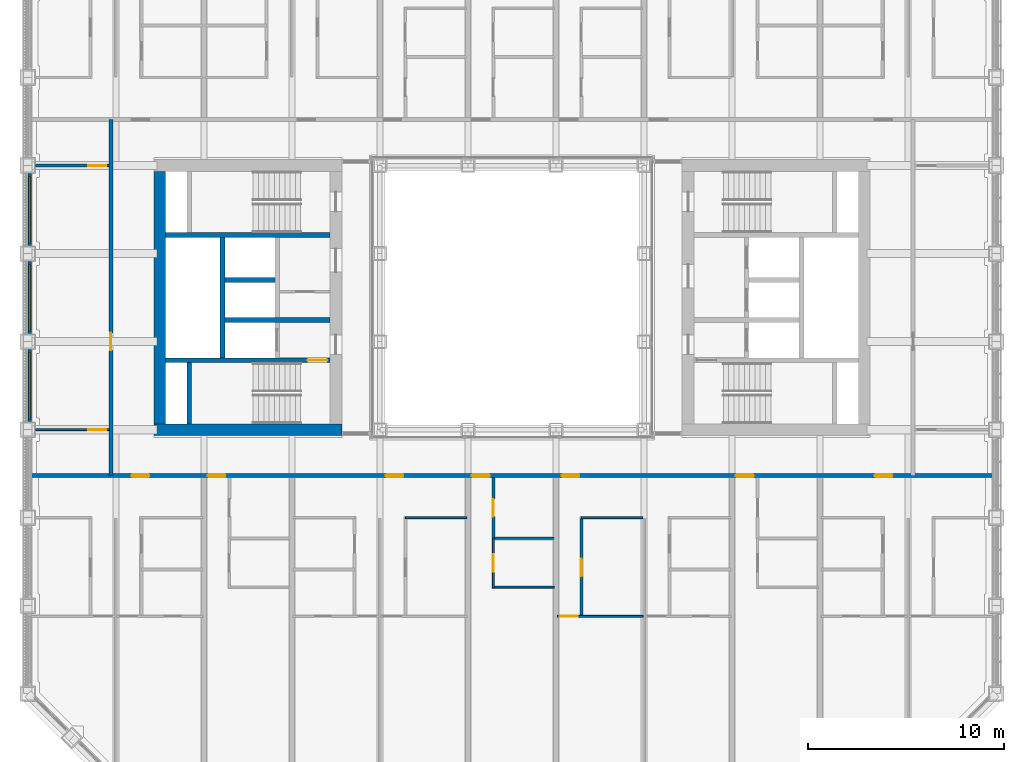
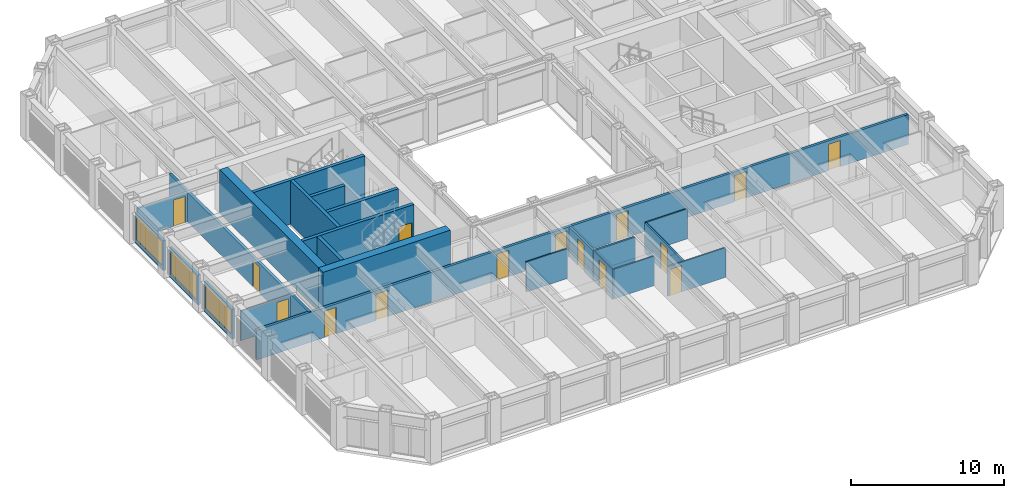
# One storey, part 10 of 21: 23 walls, 15 doors, 3 windows, 18 openings.
"""IFC4 building model written with IfcOpenShell, lengths in metres."""

from ifc_helpers import new_model, si_unit, direction, frame, frame_2d, origin, place, context, subcontext, project, spatial, rectangle, extrude, material, layer, layer_set, type_object, element, fill, save


model = new_model("IFC4")

# Units and contexts
model_context = context("Model", 3, precision=1e-05, world=origin(), true_north=direction((0.0, 1.0)))
body_context = subcontext(model_context, "Body", "Model", "MODEL_VIEW")
ifc_project = project(units=[si_unit("LENGTHUNIT", "METRE"), si_unit("AREAUNIT", "SQUARE_METRE"), si_unit("VOLUMEUNIT", "CUBIC_METRE"), si_unit("PLANEANGLEUNIT", "RADIAN"), si_unit("MASSUNIT", "GRAM", prefix="KILO")], contexts=[model_context])

# Site, building, storey
site_placement = place(None, origin())
site = spatial("IfcSite", under=ifc_project, at=site_placement, CompositionType="ELEMENT")
building_placement = place(site_placement, origin())
building = spatial("IfcBuilding", under=site, at=building_placement, Name="Msasa Ring Tower", CompositionType="ELEMENT")
storey_placement = place(building_placement, frame((0.0, 0.0, 44.0)))
storey = spatial("IfcBuildingStorey", under=building, at=storey_placement, Name="L10", CompositionType="ELEMENT", Elevation=44.0)

# Walls
ifc_material_1 = material(Name="Concrete C60/75", Category="concrete")
ifc_layer_1 = layer(ifc_material_1, 0.60009765625)
ifc_layer_set_1 = layer_set([ifc_layer_1], Name="CW1 CORE WALL 600")
wall_type_1 = type_object("IfcWallType", Name="CW1 CORE WALL 600", PredefinedType="SHEAR", material=ifc_layer_set_1)
wall_1_placement = place(storey_placement, frame((-8.699951171875, -6.75, 0.0), z_axis=(0.0, 0.0, 1.0), x_axis=(-1.0, 0.0, 0.0)))
element("IfcWall", 1, at=wall_1_placement, inside=storey, type_object=wall_type_1, Name="W core wall S L10", PredefinedType="SHEAR", context=body_context, shape_type="SweptSolid", body=[
    extrude(rectangle(XDim=9.60009765625, YDim=0.60009765625, at=frame_2d((4.800048828125, 0.0))), origin(), (0.0, 0.0, 1.0), 3.5),
])
wall_2_placement = place(storey_placement, frame((-18.0, -6.449951171875, 0.0), z_axis=(0.0, 0.0, 1.0), x_axis=(0.0, 1.0, 0.0)))
element("IfcWall", 2, at=wall_2_placement, inside=storey, type_object=wall_type_1, Name="W core wall E L10", PredefinedType="SHEAR", context=body_context, shape_type="SweptSolid", body=[
    extrude(rectangle(XDim=12.89990234375, YDim=0.60009765625, at=frame_2d((6.449951171875, 0.0))), origin(), (0.0, 0.0, 1.0), 3.5),
])

# Wall, opening, door
ifc_material_2 = material(Name="Concrete C60/75", Category="concrete")
ifc_layer_2 = layer(ifc_material_2, 0.25)
ifc_layer_set_2 = layer_set([ifc_layer_2], Name="CW4 CORE INNER WALL 250")
wall_type_2 = type_object("IfcWallType", Name="CW4 CORE INNER WALL 250", PredefinedType="SHEAR", material=ifc_layer_set_2)
wall_3_placement = place(storey_placement, frame((-9.300048828125, -3.199951171875, 0.0), z_axis=(0.0, 0.0, 1.0), x_axis=(-1.0, 0.0, 0.0)))
wall_3 = element("IfcWall", 3, at=wall_3_placement, inside=storey, type_object=wall_type_2, Name="W core wall STAIRA L10", PredefinedType="SHEAR", context=body_context, shape_type="SweptSolid", body=[
    extrude(rectangle(XDim=8.39990234375, YDim=0.25, at=frame_2d((4.199951171875, 0.0))), origin(), (0.0, 0.0, 1.0), 3.5),
])
opening_1_placement = place(wall_3_placement, frame((0.14990234375, 0.0, 0.0)))
opening_1 = element("IfcOpeningElement", 4, at=opening_1_placement, cuts=wall_3, Name="Opening RB-047", PredefinedType="OPENING", context=body_context, shape_type="SweptSolid", body=[
    extrude(rectangle(XDim=1.0, YDim=2.10009765625, at=frame_2d((0.5, 1.050048828125))), frame((0.0, 0.135009765625, 0.0), z_axis=(0.0, -1.0, 0.0), x_axis=(1.0, 0.0, 0.0)), (0.0, 0.0, 1.0), 0.27001953125),
])
ifc_material_3 = material(Name="Timber door leaf in a steel frame", Category="steel")
door_type_1 = type_object("IfcDoorType", Name="D6 STAIR DOOR 1000x2100", OperationType="SINGLE_SWING_LEFT", PredefinedType="DOOR", material=ifc_material_3)
door_1_placement = place(opening_1_placement, origin())
door_1 = element("IfcDoor", 5, at=door_1_placement, inside=storey, type_object=door_type_1, Name="Door L10-WSTA", OperationType="SINGLE_SWING_LEFT", OverallHeight=2.10009765625, OverallWidth=1.0, PredefinedType="DOOR", context=body_context, shape_type="SweptSolid", body=[
    extrude(rectangle(XDim=1.0, YDim=2.10009765625, at=frame_2d((0.5, 1.050048828125))), frame((0.0, 0.02490234375, 0.0), z_axis=(0.0, -1.0, 0.0), x_axis=(1.0, 0.0, 0.0)), (0.0, 0.0, 1.0), 0.050048828125),
])
fill(opening_1, door_1)

# Walls
wall_4_placement = place(storey_placement, frame((-9.300048828125, 3.199951171875, 0.0), z_axis=(0.0, 0.0, 1.0), x_axis=(-1.0, 0.0, 0.0)))
element("IfcWall", 6, at=wall_4_placement, inside=storey, type_object=wall_type_2, Name="W core wall STAIRB L10", PredefinedType="SHEAR", context=body_context, shape_type="SweptSolid", body=[
    extrude(rectangle(XDim=8.39990234375, YDim=0.25, at=frame_2d((4.199951171875, 0.0))), origin(), (0.0, 0.0, 1.0), 3.5),
])
wall_5_placement = place(storey_placement, frame((-16.5, -6.449951171875, 0.0), z_axis=(0.0, 0.0, 1.0), x_axis=(0.0, 1.0, 0.0)))
element("IfcWall", 7, at=wall_5_placement, inside=storey, type_object=wall_type_2, Name="W core wall RISERA L10", PredefinedType="SHEAR", context=body_context, shape_type="SweptSolid", body=[
    extrude(rectangle(XDim=3.125, YDim=0.25, at=frame_2d((1.5625, 0.0))), origin(), (0.0, 0.0, 1.0), 3.5),
])
wall_6_placement = place(storey_placement, frame((-9.300048828125, -1.14990234375, 0.0), z_axis=(0.0, 0.0, 1.0), x_axis=(-1.0, 0.0, 0.0)))
element("IfcWall", 8, at=wall_6_placement, inside=storey, type_object=wall_type_2, Name="W core wall FFL L10", PredefinedType="SHEAR", context=body_context, shape_type="SweptSolid", body=[
    extrude(rectangle(XDim=5.375, YDim=0.25, at=frame_2d((2.6875, 0.0))), origin(), (0.0, 0.0, 1.0), 3.5),
])
wall_7_placement = place(storey_placement, frame((-14.800048828125, -3.074951171875, 0.0), z_axis=(0.0, 0.0, 1.0), x_axis=(0.0, 1.0, 0.0)))
element("IfcWall", 9, at=wall_7_placement, inside=storey, type_object=wall_type_2, Name="W core wall SHAFT L10", PredefinedType="SHEAR", context=body_context, shape_type="SweptSolid", body=[
    extrude(rectangle(XDim=6.14990234375, YDim=0.25, at=frame_2d((3.074951171875, 0.0))), origin(), (0.0, 0.0, 1.0), 3.5),
])
wall_8_placement = place(storey_placement, frame((-12.125, 0.89990234375, 0.0), z_axis=(0.0, 0.0, 1.0), x_axis=(-1.0, 0.0, 0.0)))
element("IfcWall", 10, at=wall_8_placement, inside=storey, type_object=wall_type_2, Name="W core wall LIFT1 L10", PredefinedType="SHEAR", context=body_context, shape_type="SweptSolid", body=[
    extrude(rectangle(XDim=2.550048828125, YDim=0.25, at=frame_2d((1.27490234375, 0.0))), origin(), (0.0, 0.0, 1.0), 3.5),
])

# Wall, opening, window
ifc_material_4 = material(Name="Terracotta rainscreen on blockwork", Category="masonry")
ifc_layer_3 = layer(ifc_material_4, 0.199951171875)
ifc_layer_set_3 = layer_set([ifc_layer_3], Name="FW1 TERRACOTTA-LINED INFILL BAY WALL 200")
wall_type_3 = type_object("IfcWallType", Name="FW1 TERRACOTTA-LINED INFILL BAY WALL 200", PredefinedType="SOLIDWALL", material=ifc_layer_set_3)
wall_9_placement = place(storey_placement, frame((-24.64990234375, -6.344970703125, 0.0), z_axis=(0.0, 0.0, 1.0), x_axis=(0.0, 1.0, 0.0)))
wall_9 = element("IfcWall", 11, at=wall_9_placement, inside=storey, type_object=wall_type_3, Name="Infill bay wall W L10 36", PredefinedType="SOLIDWALL", context=body_context, shape_type="SweptSolid", body=[
    extrude(rectangle(XDim=3.68994140625, YDim=0.199951171875, at=frame_2d((1.844970703125, 0.0))), origin(), (0.0, 0.0, 1.0), 2.37890625),
])
opening_2_placement = place(wall_9_placement, frame((0.14501953125, 0.0, 0.300048828125)))
opening_2 = element("IfcOpeningElement", 12, at=opening_2_placement, cuts=wall_9, Name="Opening WN1", PredefinedType="OPENING", context=body_context, shape_type="SweptSolid", body=[
    extrude(rectangle(XDim=3.39990234375, YDim=1.928955078125, at=frame_2d((1.699951171875, 0.96435546875))), frame((0.0, 0.10986328125, 0.0), z_axis=(0.0, -1.0, 0.0), x_axis=(1.0, 0.0, 0.0)), (0.0, 0.0, 1.0), 0.219970703125),
])
ifc_material_5 = material(Name="Aluminium frame with clear glass", Category="aluminium")
window_type = type_object("IfcWindowType", Name="WN1 RESIDENCE WINDOW 3400x1929", PartitioningType="SINGLE_PANEL", PredefinedType="WINDOW", material=ifc_material_5)
window_1_placement = place(opening_2_placement, origin())
window_1 = element("IfcWindow", 13, at=window_1_placement, inside=storey, type_object=window_type, Name="Window W L10 36", OverallHeight=1.928955078125, OverallWidth=3.39990234375, PartitioningType="SINGLE_PANEL", PredefinedType="WINDOW", context=body_context, shape_type="SweptSolid", body=[
    extrude(rectangle(XDim=3.39990234375, YDim=1.928955078125, at=frame_2d((1.699951171875, 0.96435546875))), frame((0.0, 0.030029296875, 0.0), z_axis=(0.0, -1.0, 0.0), x_axis=(1.0, 0.0, 0.0)), (0.0, 0.0, 1.0), 0.06005859375),
])
fill(opening_2, window_1)

wall_10_placement = place(storey_placement, frame((-24.64990234375, -1.844970703125, 0.0), z_axis=(0.0, 0.0, 1.0), x_axis=(0.0, 1.0, 0.0)))
wall_10 = element("IfcWall", 14, at=wall_10_placement, inside=storey, type_object=wall_type_3, Name="Infill bay wall W L10 37", PredefinedType="SOLIDWALL", context=body_context, shape_type="SweptSolid", body=[
    extrude(rectangle(XDim=3.68994140625, YDim=0.199951171875, at=frame_2d((1.844970703125, 0.0))), origin(), (0.0, 0.0, 1.0), 2.37890625),
])
opening_3_placement = place(wall_10_placement, frame((0.14501953125, 0.0, 0.300048828125)))
opening_3 = element("IfcOpeningElement", 15, at=opening_3_placement, cuts=wall_10, Name="Opening WN1", PredefinedType="OPENING", context=body_context, shape_type="SweptSolid", body=[
    extrude(rectangle(XDim=3.39990234375, YDim=1.928955078125, at=frame_2d((1.699951171875, 0.96435546875))), frame((0.0, 0.10986328125, 0.0), z_axis=(0.0, -1.0, 0.0), x_axis=(1.0, 0.0, 0.0)), (0.0, 0.0, 1.0), 0.219970703125),
])
window_2_placement = place(opening_3_placement, origin())
window_2 = element("IfcWindow", 16, at=window_2_placement, inside=storey, type_object=window_type, Name="Window W L10 37", OverallHeight=1.928955078125, OverallWidth=3.39990234375, PartitioningType="SINGLE_PANEL", PredefinedType="WINDOW", context=body_context, shape_type="SweptSolid", body=[
    extrude(rectangle(XDim=3.39990234375, YDim=1.928955078125, at=frame_2d((1.699951171875, 0.96435546875))), frame((0.0, 0.030029296875, 0.0), z_axis=(0.0, -1.0, 0.0), x_axis=(1.0, 0.0, 0.0)), (0.0, 0.0, 1.0), 0.06005859375),
])
fill(opening_3, window_2)

wall_11_placement = place(storey_placement, frame((-24.64990234375, 2.655029296875, 0.0), z_axis=(0.0, 0.0, 1.0), x_axis=(0.0, 1.0, 0.0)))
wall_11 = element("IfcWall", 17, at=wall_11_placement, inside=storey, type_object=wall_type_3, Name="Infill bay wall W L10 38", PredefinedType="SOLIDWALL", context=body_context, shape_type="SweptSolid", body=[
    extrude(rectangle(XDim=3.68994140625, YDim=0.199951171875, at=frame_2d((1.844970703125, 0.0))), origin(), (0.0, 0.0, 1.0), 2.37890625),
])
opening_4_placement = place(wall_11_placement, frame((0.14501953125, 0.0, 0.300048828125)))
opening_4 = element("IfcOpeningElement", 18, at=opening_4_placement, cuts=wall_11, Name="Opening WN1", PredefinedType="OPENING", context=body_context, shape_type="SweptSolid", body=[
    extrude(rectangle(XDim=3.39990234375, YDim=1.928955078125, at=frame_2d((1.699951171875, 0.96435546875))), frame((0.0, 0.10986328125, 0.0), z_axis=(0.0, -1.0, 0.0), x_axis=(1.0, 0.0, 0.0)), (0.0, 0.0, 1.0), 0.219970703125),
])
window_3_placement = place(opening_4_placement, origin())
window_3 = element("IfcWindow", 19, at=window_3_placement, inside=storey, type_object=window_type, Name="Window W L10 38", OverallHeight=1.928955078125, OverallWidth=3.39990234375, PartitioningType="SINGLE_PANEL", PredefinedType="WINDOW", context=body_context, shape_type="SweptSolid", body=[
    extrude(rectangle(XDim=3.39990234375, YDim=1.928955078125, at=frame_2d((1.699951171875, 0.96435546875))), frame((0.0, 0.030029296875, 0.0), z_axis=(0.0, -1.0, 0.0), x_axis=(1.0, 0.0, 0.0)), (0.0, 0.0, 1.0), 0.06005859375),
])
fill(opening_4, window_3)

# Wall, openings, doors
ifc_material_6 = material(Name="Concrete blockwork", Category="masonry")
ifc_layer_4 = layer(ifc_material_6, 0.199951171875)
ifc_layer_set_4 = layer_set([ifc_layer_4], Name="PT1 CORRIDOR WALL 200")
wall_type_4 = type_object("IfcWallType", Name="PT1 CORRIDOR WALL 200", PredefinedType="PARTITIONING", material=ifc_layer_set_4)
wall_12_placement = place(storey_placement, frame((-24.550048828125, -9.10009765625, 0.0), z_axis=(0.0, 0.0, 1.0), x_axis=(1.0, 0.0, 0.0)))
wall_12 = element("IfcWall", 20, at=wall_12_placement, inside=storey, type_object=wall_type_4, Name="Corridor wall L10-CORRS0", PredefinedType="PARTITIONING", context=body_context, shape_type="SweptSolid", body=[
    extrude(rectangle(XDim=49.10009765625, YDim=0.199951171875, at=frame_2d((24.550048828125, 0.0))), origin(), (0.0, 0.0, 1.0), 2.373291015625),
])
opening_5_placement = place(wall_12_placement, frame((5.10009765625, 0.0, 0.0)))
opening_5 = element("IfcOpeningElement", 21, at=opening_5_placement, cuts=wall_12, Name="Opening RB-053", PredefinedType="OPENING", context=body_context, shape_type="SweptSolid", body=[
    extrude(rectangle(XDim=0.89990234375, YDim=2.10009765625, at=frame_2d((0.449951171875, 1.050048828125))), frame((0.0, 0.10986328125, 0.0), z_axis=(0.0, -1.0, 0.0), x_axis=(1.0, 0.0, 0.0)), (0.0, 0.0, 1.0), 0.219970703125),
])
opening_6_placement = place(wall_12_placement, frame((9.0, 0.0, 0.0)))
opening_6 = element("IfcOpeningElement", 22, at=opening_6_placement, cuts=wall_12, Name="Opening RB-054", PredefinedType="OPENING", context=body_context, shape_type="SweptSolid", body=[
    extrude(rectangle(XDim=0.89990234375, YDim=2.10009765625, at=frame_2d((0.449951171875, 1.050048828125))), frame((0.0, 0.10986328125, 0.0), z_axis=(0.0, -1.0, 0.0), x_axis=(1.0, 0.0, 0.0)), (0.0, 0.0, 1.0), 0.219970703125),
])
opening_7_placement = place(wall_12_placement, frame((18.10009765625, 0.0, 0.0)))
opening_7 = element("IfcOpeningElement", 23, at=opening_7_placement, cuts=wall_12, Name="Opening RB-055", PredefinedType="OPENING", context=body_context, shape_type="SweptSolid", body=[
    extrude(rectangle(XDim=0.89990234375, YDim=2.10009765625, at=frame_2d((0.449951171875, 1.050048828125))), frame((0.0, 0.10986328125, 0.0), z_axis=(0.0, -1.0, 0.0), x_axis=(1.0, 0.0, 0.0)), (0.0, 0.0, 1.0), 0.219970703125),
])
opening_8_placement = place(wall_12_placement, frame((22.5, 0.0, 0.0)))
opening_8 = element("IfcOpeningElement", 24, at=opening_8_placement, cuts=wall_12, Name="Opening RB-056", PredefinedType="OPENING", context=body_context, shape_type="SweptSolid", body=[
    extrude(rectangle(XDim=0.89990234375, YDim=2.10009765625, at=frame_2d((0.449951171875, 1.050048828125))), frame((0.0, 0.10986328125, 0.0), z_axis=(0.0, -1.0, 0.0), x_axis=(1.0, 0.0, 0.0)), (0.0, 0.0, 1.0), 0.219970703125),
])
opening_9_placement = place(wall_12_placement, frame((27.10009765625, 0.0, 0.0)))
opening_9 = element("IfcOpeningElement", 25, at=opening_9_placement, cuts=wall_12, Name="Opening RB-057", PredefinedType="OPENING", context=body_context, shape_type="SweptSolid", body=[
    extrude(rectangle(XDim=0.89990234375, YDim=2.10009765625, at=frame_2d((0.449951171875, 1.050048828125))), frame((0.0, 0.10986328125, 0.0), z_axis=(0.0, -1.0, 0.0), x_axis=(1.0, 0.0, 0.0)), (0.0, 0.0, 1.0), 0.219970703125),
])
opening_10_placement = place(wall_12_placement, frame((36.0, 0.0, 0.0)))
opening_10 = element("IfcOpeningElement", 26, at=opening_10_placement, cuts=wall_12, Name="Opening RB-058", PredefinedType="OPENING", context=body_context, shape_type="SweptSolid", body=[
    extrude(rectangle(XDim=0.89990234375, YDim=2.10009765625, at=frame_2d((0.449951171875, 1.050048828125))), frame((0.0, 0.10986328125, 0.0), z_axis=(0.0, -1.0, 0.0), x_axis=(1.0, 0.0, 0.0)), (0.0, 0.0, 1.0), 0.219970703125),
])
opening_11_placement = place(wall_12_placement, frame((43.10009765625, 0.0, 0.0)))
opening_11 = element("IfcOpeningElement", 27, at=opening_11_placement, cuts=wall_12, Name="Opening RB-059", PredefinedType="OPENING", context=body_context, shape_type="SweptSolid", body=[
    extrude(rectangle(XDim=0.89990234375, YDim=2.10009765625, at=frame_2d((0.449951171875, 1.050048828125))), frame((0.0, 0.10986328125, 0.0), z_axis=(0.0, -1.0, 0.0), x_axis=(1.0, 0.0, 0.0)), (0.0, 0.0, 1.0), 0.219970703125),
])
ifc_material_7 = material(Name="Timber door leaf in a steel frame", Category="steel")
door_type_2 = type_object("IfcDoorType", Name="D2 ENTRANCE DOOR 900x2100", OperationType="SINGLE_SWING_LEFT", PredefinedType="DOOR", material=ifc_material_7)
door_2_placement = place(opening_5_placement, origin())
door_2 = element("IfcDoor", 28, at=door_2_placement, inside=storey, type_object=door_type_2, Name="Door L10-US00", OperationType="SINGLE_SWING_LEFT", OverallHeight=2.10009765625, OverallWidth=0.89990234375, PredefinedType="DOOR", context=body_context, shape_type="SweptSolid", body=[
    extrude(rectangle(XDim=0.89990234375, YDim=2.10009765625, at=frame_2d((0.449951171875, 1.050048828125))), frame((0.0, 0.02490234375, 0.0), z_axis=(0.0, -1.0, 0.0), x_axis=(1.0, 0.0, 0.0)), (0.0, 0.0, 1.0), 0.050048828125),
])
fill(opening_5, door_2)
door_3_placement = place(opening_6_placement, origin())
door_3 = element("IfcDoor", 29, at=door_3_placement, inside=storey, type_object=door_type_2, Name="Door L10-US01", OperationType="SINGLE_SWING_LEFT", OverallHeight=2.10009765625, OverallWidth=0.89990234375, PredefinedType="DOOR", context=body_context, shape_type="SweptSolid", body=[
    extrude(rectangle(XDim=0.89990234375, YDim=2.10009765625, at=frame_2d((0.449951171875, 1.050048828125))), frame((0.0, 0.02490234375, 0.0), z_axis=(0.0, -1.0, 0.0), x_axis=(1.0, 0.0, 0.0)), (0.0, 0.0, 1.0), 0.050048828125),
])
fill(opening_6, door_3)
door_4_placement = place(opening_7_placement, origin())
door_4 = element("IfcDoor", 30, at=door_4_placement, inside=storey, type_object=door_type_2, Name="Door L10-US02", OperationType="SINGLE_SWING_LEFT", OverallHeight=2.10009765625, OverallWidth=0.89990234375, PredefinedType="DOOR", context=body_context, shape_type="SweptSolid", body=[
    extrude(rectangle(XDim=0.89990234375, YDim=2.10009765625, at=frame_2d((0.449951171875, 1.050048828125))), frame((0.0, 0.02490234375, 0.0), z_axis=(0.0, -1.0, 0.0), x_axis=(1.0, 0.0, 0.0)), (0.0, 0.0, 1.0), 0.050048828125),
])
fill(opening_7, door_4)
door_5_placement = place(opening_8_placement, origin())
door_5 = element("IfcDoor", 31, at=door_5_placement, inside=storey, type_object=door_type_2, Name="Door L10-US03", OperationType="SINGLE_SWING_LEFT", OverallHeight=2.10009765625, OverallWidth=0.89990234375, PredefinedType="DOOR", context=body_context, shape_type="SweptSolid", body=[
    extrude(rectangle(XDim=0.89990234375, YDim=2.10009765625, at=frame_2d((0.449951171875, 1.050048828125))), frame((0.0, 0.02490234375, 0.0), z_axis=(0.0, -1.0, 0.0), x_axis=(1.0, 0.0, 0.0)), (0.0, 0.0, 1.0), 0.050048828125),
])
fill(opening_8, door_5)
door_6_placement = place(opening_9_placement, origin())
door_6 = element("IfcDoor", 32, at=door_6_placement, inside=storey, type_object=door_type_2, Name="Door L10-US04", OperationType="SINGLE_SWING_RIGHT", OverallHeight=2.10009765625, OverallWidth=0.89990234375, PredefinedType="DOOR", context=body_context, shape_type="SweptSolid", body=[
    extrude(rectangle(XDim=0.89990234375, YDim=2.10009765625, at=frame_2d((0.449951171875, 1.050048828125))), frame((0.0, 0.02490234375, 0.0), z_axis=(0.0, -1.0, 0.0), x_axis=(1.0, 0.0, 0.0)), (0.0, 0.0, 1.0), 0.050048828125),
])
fill(opening_9, door_6)
door_7_placement = place(opening_10_placement, origin())
door_7 = element("IfcDoor", 33, at=door_7_placement, inside=storey, type_object=door_type_2, Name="Door L10-US05", OperationType="SINGLE_SWING_RIGHT", OverallHeight=2.10009765625, OverallWidth=0.89990234375, PredefinedType="DOOR", context=body_context, shape_type="SweptSolid", body=[
    extrude(rectangle(XDim=0.89990234375, YDim=2.10009765625, at=frame_2d((0.449951171875, 1.050048828125))), frame((0.0, 0.02490234375, 0.0), z_axis=(0.0, -1.0, 0.0), x_axis=(1.0, 0.0, 0.0)), (0.0, 0.0, 1.0), 0.050048828125),
])
fill(opening_10, door_7)
door_8_placement = place(opening_11_placement, origin())
door_8 = element("IfcDoor", 34, at=door_8_placement, inside=storey, type_object=door_type_2, Name="Door L10-US06", OperationType="SINGLE_SWING_RIGHT", OverallHeight=2.10009765625, OverallWidth=0.89990234375, PredefinedType="DOOR", context=body_context, shape_type="SweptSolid", body=[
    extrude(rectangle(XDim=0.89990234375, YDim=2.10009765625, at=frame_2d((0.449951171875, 1.050048828125))), frame((0.0, 0.02490234375, 0.0), z_axis=(0.0, -1.0, 0.0), x_axis=(1.0, 0.0, 0.0)), (0.0, 0.0, 1.0), 0.050048828125),
])
fill(opening_11, door_8)

# Wall, opening, door
wall_13_placement = place(storey_placement, frame((-20.5, -9.10009765625, 0.0), z_axis=(0.0, 0.0, 1.0), x_axis=(0.0, 1.0, 0.0)))
wall_13 = element("IfcWall", 35, at=wall_13_placement, inside=storey, type_object=wall_type_4, Name="Corridor wall L10-STRW", PredefinedType="PARTITIONING", context=body_context, shape_type="SweptSolid", body=[
    extrude(rectangle(XDim=18.2001953125, YDim=0.199951171875, at=frame_2d((9.10009765625, 0.0))), origin(), (0.0, 0.0, 1.0), 2.373291015625),
])
opening_12_placement = place(wall_13_placement, frame((6.39990234375, 0.0, 0.0)))
opening_12 = element("IfcOpeningElement", 36, at=opening_12_placement, cuts=wall_13, Name="Opening RB-043", PredefinedType="OPENING", context=body_context, shape_type="SweptSolid", body=[
    extrude(rectangle(XDim=0.89990234375, YDim=2.10009765625, at=frame_2d((0.449951171875, 1.050048828125))), frame((0.0, 0.10986328125, 0.0), z_axis=(0.0, -1.0, 0.0), x_axis=(1.0, 0.0, 0.0)), (0.0, 0.0, 1.0), 0.219970703125),
])
door_9_placement = place(opening_12_placement, origin())
door_9 = element("IfcDoor", 37, at=door_9_placement, inside=storey, type_object=door_type_2, Name="Door L10-STW", OperationType="SINGLE_SWING_LEFT", OverallHeight=2.10009765625, OverallWidth=0.89990234375, PredefinedType="DOOR", context=body_context, shape_type="SweptSolid", body=[
    extrude(rectangle(XDim=0.89990234375, YDim=2.10009765625, at=frame_2d((0.449951171875, 1.050048828125))), frame((0.0, 0.02490234375, 0.0), z_axis=(0.0, -1.0, 0.0), x_axis=(1.0, 0.0, 0.0)), (0.0, 0.0, 1.0), 0.050048828125),
])
fill(opening_12, door_9)

# Walls
ifc_material_8 = material(Name="Gypsum board on steel studs", Category="steel")
ifc_layer_5 = layer(ifc_material_8, 0.10009765625)
ifc_layer_set_5 = layer_set([ifc_layer_5], Name="PT2 STUD PARTITION 100")
wall_type_5 = type_object("IfcWallType", Name="PT2 STUD PARTITION 100", PredefinedType="PARTITIONING", material=ifc_layer_set_5)
wall_14_placement = place(storey_placement, frame((-5.449951171875, -11.25, 0.0), z_axis=(0.0, 0.0, 1.0), x_axis=(1.0, 0.0, 0.0)))
element("IfcWall", 38, at=wall_14_placement, inside=storey, type_object=wall_type_5, Name="Partition L10-US02HY0", PredefinedType="PARTITIONING", context=body_context, shape_type="SweptSolid", body=[
    extrude(rectangle(XDim=3.139892578125, YDim=0.10009765625, at=frame_2d((1.56982421875, 0.0))), origin(), (0.0, 0.0, 1.0), 2.373291015625),
])
wall_15_placement = place(storey_placement, frame((-0.89990234375, -14.800048828125, 0.0), z_axis=(0.0, 0.0, 1.0), x_axis=(1.0, 0.0, 0.0)))
element("IfcWall", 39, at=wall_15_placement, inside=storey, type_object=wall_type_5, Name="Partition L10-US03KY", PredefinedType="PARTITIONING", context=body_context, shape_type="SweptSolid", body=[
    extrude(rectangle(XDim=3.0498046875, YDim=0.10009765625, at=frame_2d((1.52490234375, 0.0))), origin(), (0.0, 0.0, 1.0), 2.373291015625),
])

# Wall, opening, door
wall_16_placement = place(storey_placement, frame((-0.949951171875, -14.85009765625, 0.0), z_axis=(0.0, 0.0, 1.0), x_axis=(0.0, 1.0, 0.0)))
wall_16 = element("IfcWall", 40, at=wall_16_placement, inside=storey, type_object=wall_type_5, Name="Partition L10-US03KX", PredefinedType="PARTITIONING", context=body_context, shape_type="SweptSolid", body=[
    extrude(rectangle(XDim=2.550048828125, YDim=0.10009765625, at=frame_2d((1.27490234375, 0.0))), origin(), (0.0, 0.0, 1.0), 2.373291015625),
])
opening_13_placement = place(wall_16_placement, frame((0.840087890625, 0.0, 0.0)))
opening_13 = element("IfcOpeningElement", 41, at=opening_13_placement, cuts=wall_16, Name="Opening RB-068", PredefinedType="OPENING", context=body_context, shape_type="SweptSolid", body=[
    extrude(rectangle(XDim=0.89990234375, YDim=2.10009765625, at=frame_2d((0.449951171875, 1.050048828125))), frame((0.0, 0.06005859375, 0.0), z_axis=(0.0, -1.0, 0.0), x_axis=(1.0, 0.0, 0.0)), (0.0, 0.0, 1.0), 0.1201171875),
])
ifc_material_9 = material(Name="Timber door leaf in a steel frame", Category="steel")
door_type_3 = type_object("IfcDoorType", Name="D22 INTERNAL HALL DOOR 900x2100", OperationType="SINGLE_SWING_LEFT", PredefinedType="DOOR", material=ifc_material_9)
door_10_placement = place(opening_13_placement, origin())
door_10 = element("IfcDoor", 42, at=door_10_placement, inside=storey, type_object=door_type_3, Name="Door L10-US03K", OperationType="SINGLE_SWING_LEFT", OverallHeight=2.10009765625, OverallWidth=0.89990234375, PredefinedType="DOOR", context=body_context, shape_type="SweptSolid", body=[
    extrude(rectangle(XDim=0.89990234375, YDim=2.10009765625, at=frame_2d((0.449951171875, 1.050048828125))), frame((0.0, 0.02490234375, 0.0), z_axis=(0.0, -1.0, 0.0), x_axis=(1.0, 0.0, 0.0)), (0.0, 0.0, 1.0), 0.050048828125),
])
fill(opening_13, door_10)

# Wall
wall_17_placement = place(storey_placement, frame((3.550048828125, -11.25, 0.0), z_axis=(0.0, 0.0, 1.0), x_axis=(1.0, 0.0, 0.0)))
element("IfcWall", 43, at=wall_17_placement, inside=storey, type_object=wall_type_5, Name="Partition L10-US04HY0", PredefinedType="PARTITIONING", context=body_context, shape_type="SweptSolid", body=[
    extrude(rectangle(XDim=3.139892578125, YDim=0.10009765625, at=frame_2d((1.56982421875, 0.0))), origin(), (0.0, 0.0, 1.0), 2.373291015625),
])

# Wall, opening, door
wall_18_placement = place(storey_placement, frame((2.31005859375, -16.300048828125, 0.0), z_axis=(0.0, 0.0, 1.0), x_axis=(1.0, 0.0, 0.0)))
wall_18 = element("IfcWall", 44, at=wall_18_placement, inside=storey, type_object=wall_type_5, Name="Partition L10-US04SY0", PredefinedType="PARTITIONING", context=body_context, shape_type="SweptSolid", body=[
    extrude(rectangle(XDim=4.389892578125, YDim=0.10009765625, at=frame_2d((2.19482421875, 0.0))), origin(), (0.0, 0.0, 1.0), 2.373291015625),
])
opening_14_placement = place(wall_18_placement, frame((0.139892578125, 0.0, 0.0)))
opening_14 = element("IfcOpeningElement", 45, at=opening_14_placement, cuts=wall_18, Name="Opening RB-080", PredefinedType="OPENING", context=body_context, shape_type="SweptSolid", body=[
    extrude(rectangle(XDim=0.89990234375, YDim=2.10009765625, at=frame_2d((0.449951171875, 1.050048828125))), frame((0.0, 0.06005859375, 0.0), z_axis=(0.0, -1.0, 0.0), x_axis=(1.0, 0.0, 0.0)), (0.0, 0.0, 1.0), 0.1201171875),
])
door_11_placement = place(opening_14_placement, origin())
door_11 = element("IfcDoor", 46, at=door_11_placement, inside=storey, type_object=door_type_3, Name="Door L10-US04L", OperationType="SINGLE_SWING_LEFT", OverallHeight=2.10009765625, OverallWidth=0.89990234375, PredefinedType="DOOR", context=body_context, shape_type="SweptSolid", body=[
    extrude(rectangle(XDim=0.89990234375, YDim=2.10009765625, at=frame_2d((0.449951171875, 1.050048828125))), frame((0.0, 0.02490234375, 0.0), z_axis=(0.0, -1.0, 0.0), x_axis=(1.0, 0.0, 0.0)), (0.0, 0.0, 1.0), 0.050048828125),
])
fill(opening_14, door_11)

wall_19_placement = place(storey_placement, frame((-24.35009765625, -6.75, 0.0), z_axis=(0.0, 0.0, 1.0), x_axis=(1.0, 0.0, 0.0)))
wall_19 = element("IfcWall", 47, at=wall_19_placement, inside=storey, type_object=wall_type_5, Name="Partition L10-STWKY", PredefinedType="PARTITIONING", context=body_context, shape_type="SweptSolid", body=[
    extrude(rectangle(XDim=3.75, YDim=0.10009765625, at=frame_2d((1.875, 0.0))), origin(), (0.0, 0.0, 1.0), 2.373291015625),
])
opening_15_placement = place(wall_19_placement, frame((2.699951171875, 0.0, 0.0)))
opening_15 = element("IfcOpeningElement", 48, at=opening_15_placement, cuts=wall_19, Name="Opening RB-049", PredefinedType="OPENING", context=body_context, shape_type="SweptSolid", body=[
    extrude(rectangle(XDim=0.89990234375, YDim=2.10009765625, at=frame_2d((0.449951171875, 1.050048828125))), frame((0.0, 0.06005859375, 0.0), z_axis=(0.0, -1.0, 0.0), x_axis=(1.0, 0.0, 0.0)), (0.0, 0.0, 1.0), 0.1201171875),
])
door_12_placement = place(opening_15_placement, origin())
door_12 = element("IfcDoor", 49, at=door_12_placement, inside=storey, type_object=door_type_3, Name="Door L10-STWK", OperationType="SINGLE_SWING_RIGHT", OverallHeight=2.10009765625, OverallWidth=0.89990234375, PredefinedType="DOOR", context=body_context, shape_type="SweptSolid", body=[
    extrude(rectangle(XDim=0.89990234375, YDim=2.10009765625, at=frame_2d((0.449951171875, 1.050048828125))), frame((0.0, 0.02490234375, 0.0), z_axis=(0.0, -1.0, 0.0), x_axis=(1.0, 0.0, 0.0)), (0.0, 0.0, 1.0), 0.050048828125),
])
fill(opening_15, door_12)

ifc_material_10 = material(Name="Moisture-resistant board on steel studs with a concealed cistern and pipe void, tiled", Category="steel")
ifc_layer_6 = layer(ifc_material_10, 0.14990234375)
ifc_layer_set_6 = layer_set([ifc_layer_6], Name="PT4 BATHROOM WET WALL 150")
wall_type_6 = type_object("IfcWallType", Name="PT4 BATHROOM WET WALL 150", PredefinedType="PARTITIONING", material=ifc_layer_set_6)
wall_20_placement = place(storey_placement, frame((-0.949951171875, -12.35009765625, 0.0), z_axis=(0.0, 0.0, 1.0), x_axis=(0.0, 1.0, 0.0)))
wall_20 = element("IfcWall", 50, at=wall_20_placement, inside=storey, type_object=wall_type_6, Name="Partition L10-US03BX", PredefinedType="PARTITIONING", context=body_context, shape_type="SweptSolid", body=[
    extrude(rectangle(XDim=3.150146484375, YDim=0.14990234375, at=frame_2d((1.5751953125, 0.0))), origin(), (0.0, 0.0, 1.0), 2.373291015625),
])
opening_16_placement = place(wall_20_placement, frame((1.14990234375, 0.0, 0.0)))
opening_16 = element("IfcOpeningElement", 51, at=opening_16_placement, cuts=wall_20, Name="Opening RB-061", PredefinedType="OPENING", context=body_context, shape_type="SweptSolid", body=[
    extrude(rectangle(XDim=0.89990234375, YDim=2.10009765625, at=frame_2d((0.449951171875, 1.050048828125))), frame((0.0, 0.0849609375, 0.0), z_axis=(0.0, -1.0, 0.0), x_axis=(1.0, 0.0, 0.0)), (0.0, 0.0, 1.0), 0.169921875),
])
ifc_material_11 = material(Name="Timber door leaf in a steel frame", Category="steel")
door_type_4 = type_object("IfcDoorType", Name="D3 BATHROOM DOOR 900x2100", OperationType="SINGLE_SWING_LEFT", PredefinedType="DOOR", material=ifc_material_11)
door_13_placement = place(opening_16_placement, origin())
door_13 = element("IfcDoor", 52, at=door_13_placement, inside=storey, type_object=door_type_4, Name="Door L10-US03B", OperationType="SINGLE_SWING_LEFT", OverallHeight=2.10009765625, OverallWidth=0.89990234375, PredefinedType="DOOR", context=body_context, shape_type="SweptSolid", body=[
    extrude(rectangle(XDim=0.89990234375, YDim=2.10009765625, at=frame_2d((0.449951171875, 1.050048828125))), frame((0.0, 0.02490234375, 0.0), z_axis=(0.0, -1.0, 0.0), x_axis=(1.0, 0.0, 0.0)), (0.0, 0.0, 1.0), 0.050048828125),
])
fill(opening_16, door_13)

# Wall
wall_21_placement = place(storey_placement, frame((-0.89990234375, -12.300048828125, 0.0), z_axis=(0.0, 0.0, 1.0), x_axis=(1.0, 0.0, 0.0)))
element("IfcWall", 53, at=wall_21_placement, inside=storey, type_object=wall_type_6, Name="Partition L10-US03BY", PredefinedType="PARTITIONING", context=body_context, shape_type="SweptSolid", body=[
    extrude(rectangle(XDim=3.0498046875, YDim=0.14990234375, at=frame_2d((1.52490234375, 0.0))), origin(), (0.0, 0.0, 1.0), 2.373291015625),
])

# Wall, opening, door
wall_22_placement = place(storey_placement, frame((3.550048828125, -16.300048828125, 0.0), z_axis=(0.0, 0.0, 1.0), x_axis=(0.0, 1.0, 0.0)))
wall_22 = element("IfcWall", 54, at=wall_22_placement, inside=storey, type_object=wall_type_6, Name="Partition L10-US04SX0", PredefinedType="PARTITIONING", context=body_context, shape_type="SweptSolid", body=[
    extrude(rectangle(XDim=5.0, YDim=0.14990234375, at=frame_2d((2.5, 0.0))), origin(), (0.0, 0.0, 1.0), 2.373291015625),
])
opening_17_placement = place(wall_22_placement, frame((2.050048828125, 0.0, 0.0)))
opening_17 = element("IfcOpeningElement", 55, at=opening_17_placement, cuts=wall_22, Name="Opening RB-072", PredefinedType="OPENING", context=body_context, shape_type="SweptSolid", body=[
    extrude(rectangle(XDim=0.89990234375, YDim=2.10009765625, at=frame_2d((0.449951171875, 1.050048828125))), frame((0.0, 0.0849609375, 0.0), z_axis=(0.0, -1.0, 0.0), x_axis=(1.0, 0.0, 0.0)), (0.0, 0.0, 1.0), 0.169921875),
])
door_14_placement = place(opening_17_placement, origin())
door_14 = element("IfcDoor", 56, at=door_14_placement, inside=storey, type_object=door_type_3, Name="Door L10-US04K", OperationType="SINGLE_SWING_LEFT", OverallHeight=2.10009765625, OverallWidth=0.89990234375, PredefinedType="DOOR", context=body_context, shape_type="SweptSolid", body=[
    extrude(rectangle(XDim=0.89990234375, YDim=2.10009765625, at=frame_2d((0.449951171875, 1.050048828125))), frame((0.0, 0.02490234375, 0.0), z_axis=(0.0, -1.0, 0.0), x_axis=(1.0, 0.0, 0.0)), (0.0, 0.0, 1.0), 0.050048828125),
])
fill(opening_17, door_14)

wall_23_placement = place(storey_placement, frame((-24.35009765625, 6.75, 0.0), z_axis=(0.0, 0.0, 1.0), x_axis=(1.0, 0.0, 0.0)))
wall_23 = element("IfcWall", 57, at=wall_23_placement, inside=storey, type_object=wall_type_6, Name="Partition L10-STWBY", PredefinedType="PARTITIONING", context=body_context, shape_type="SweptSolid", body=[
    extrude(rectangle(XDim=3.75, YDim=0.14990234375, at=frame_2d((1.875, 0.0))), origin(), (0.0, 0.0, 1.0), 2.373291015625),
])
opening_18_placement = place(wall_23_placement, frame((2.699951171875, 0.0, 0.0)))
opening_18 = element("IfcOpeningElement", 58, at=opening_18_placement, cuts=wall_23, Name="Opening RB-036", PredefinedType="OPENING", context=body_context, shape_type="SweptSolid", body=[
    extrude(rectangle(XDim=0.89990234375, YDim=2.10009765625, at=frame_2d((0.449951171875, 1.050048828125))), frame((0.0, 0.0849609375, 0.0), z_axis=(0.0, -1.0, 0.0), x_axis=(1.0, 0.0, 0.0)), (0.0, 0.0, 1.0), 0.169921875),
])
door_15_placement = place(opening_18_placement, origin())
door_15 = element("IfcDoor", 59, at=door_15_placement, inside=storey, type_object=door_type_4, Name="Door L10-STWB", OperationType="SINGLE_SWING_RIGHT", OverallHeight=2.10009765625, OverallWidth=0.89990234375, PredefinedType="DOOR", context=body_context, shape_type="SweptSolid", body=[
    extrude(rectangle(XDim=0.89990234375, YDim=2.10009765625, at=frame_2d((0.449951171875, 1.050048828125))), frame((0.0, 0.02490234375, 0.0), z_axis=(0.0, -1.0, 0.0), x_axis=(1.0, 0.0, 0.0)), (0.0, 0.0, 1.0), 0.050048828125),
])
fill(opening_18, door_15)

save(model, "model.ifc")
